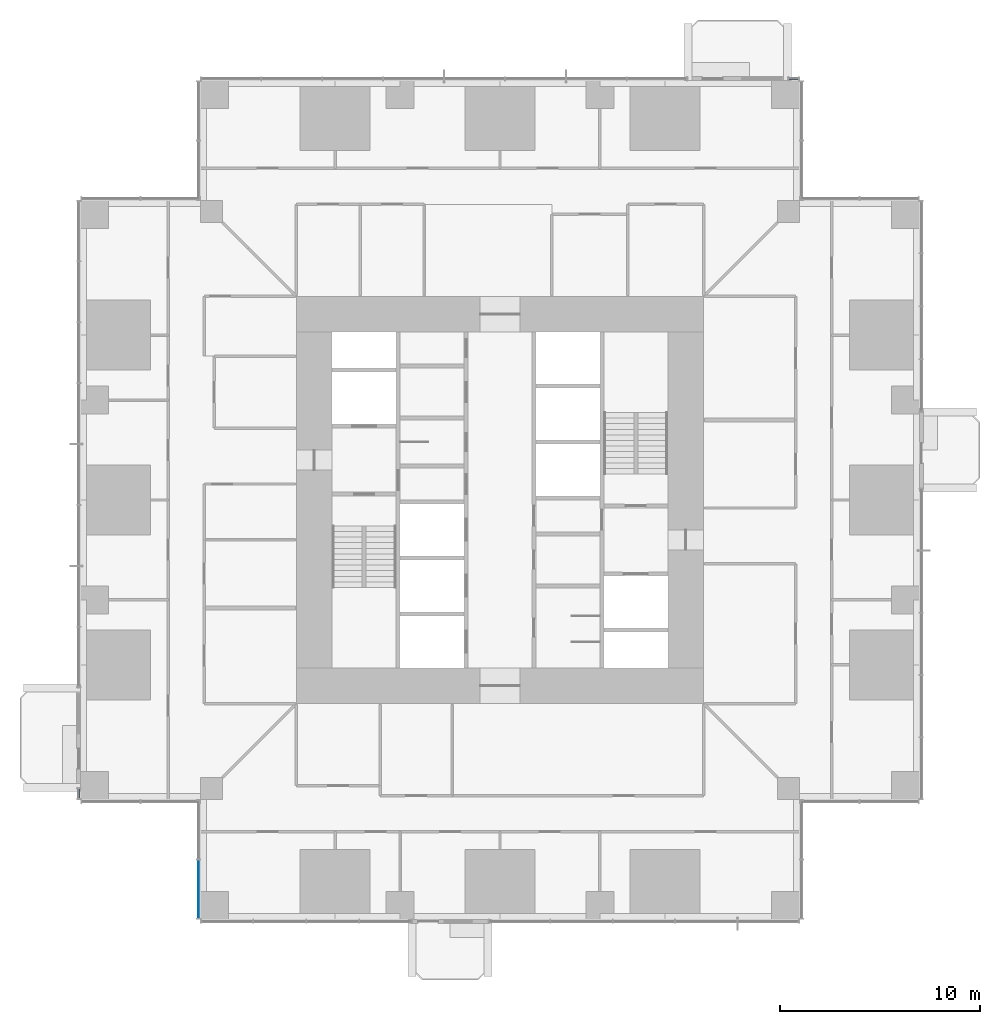
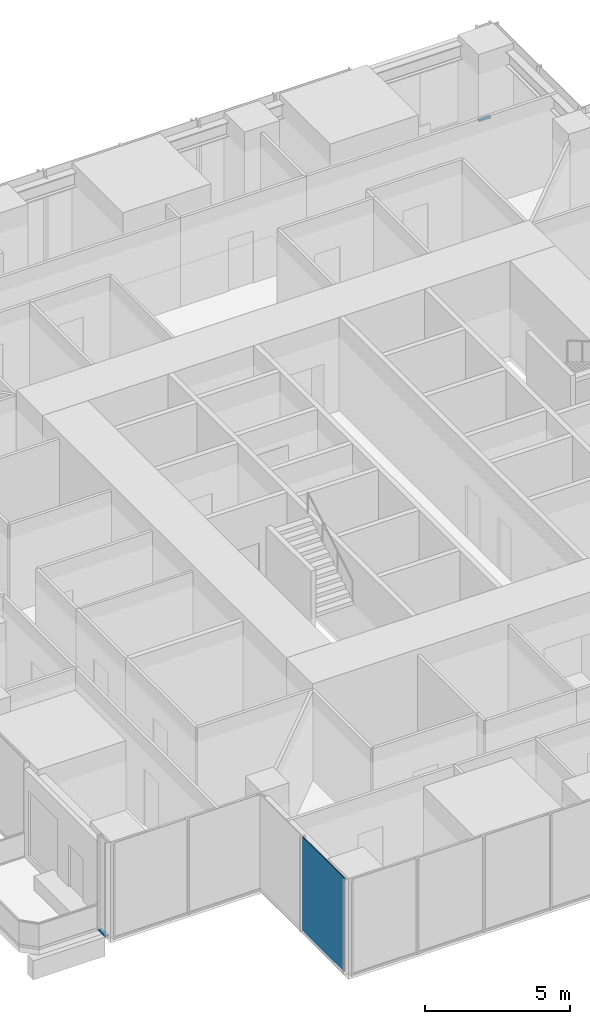
# One storey, part 7 of 18: 2 members, 1 plate, 3 elements without a shape of their own.
"""IFC4 building model written with IfcOpenShell, lengths in metres."""

from ifc_helpers import new_model, si_unit, direction, frame, origin, origin_2d, place, context, subcontext, project, spatial, rectangle, extrude, material, layer, layer_set, material_profile, profile_set, type_object, element, aggregate, save


model = new_model("IFC4")

# Units and contexts
model_context = context("Model", 3, precision=1e-05, world=origin(), true_north=direction((0.0, 1.0)))
body_context = subcontext(model_context, "Body", "Model", "MODEL_VIEW")
ifc_project = project(units=[si_unit("LENGTHUNIT", "METRE"), si_unit("AREAUNIT", "SQUARE_METRE"), si_unit("VOLUMEUNIT", "CUBIC_METRE"), si_unit("PLANEANGLEUNIT", "RADIAN"), si_unit("MASSUNIT", "GRAM", prefix="KILO")], contexts=[model_context])

# Site, building, storey
site_placement = place(None, origin())
site = spatial("IfcSite", under=ifc_project, at=site_placement, CompositionType="ELEMENT")
building_placement = place(site_placement, origin())
building = spatial("IfcBuilding", under=site, at=building_placement, Name="Svetlomir Tower", CompositionType="ELEMENT")
storey_placement = place(building_placement, frame((0.0, 0.0, 78.5)))
storey = spatial("IfcBuildingStorey", under=building, at=storey_placement, Name="L18", CompositionType="ELEMENT", Elevation=78.5)

# Curtain wall, member
ifc_material_1 = material(Name="Bronze anodised aluminium curtain wall", Category="aluminium")
curtain_wall_type = type_object("IfcCurtainWallType", Name="CURTAIN WALL CW1 TOWER OFFICE", PredefinedType="NOTDEFINED", material=ifc_material_1)
curtain_wall_1_placement = place(storey_placement, origin())
curtain_wall_1 = element("IfcCurtainWall", 1, at=curtain_wall_1_placement, inside=storey, type_object=curtain_wall_type, Name="Curtain wall CW1 L18", PredefinedType="NOTDEFINED")
ifc_material_2 = material(Name="Bronze anodised aluminium", Category="aluminium")
ifc_material_profile = material_profile(ifc_material_2, rectangle(XDim=0.139892578125, YDim=0.06494140625, at=origin_2d()), Name="AL 140x65")
ifc_profile_set = profile_set([ifc_material_profile], Name="Bronze anodised aluminium 6063-T6")
member_type = type_object("IfcMemberType", Name="CW1 TRANSOM 65x140", PredefinedType="USERDEFINED", material=ifc_profile_set)
member_1_placement = place(storey_placement, frame((35.93505859375, 42.10009765625, 0.032470703125), z_axis=(-1.0, 0.0, 0.0), x_axis=(0.0, -1.0, 0.0)))
member_1 = element("IfcMember", 2, at=member_1_placement, type_object=member_type, Name="CW1 transom 1.1", ObjectType="TRANSOM", PredefinedType="USERDEFINED", context=body_context, shape_type="SweptSolid", body=[
    extrude(rectangle(XDim=0.139892578125, YDim=0.06494140625, at=origin_2d()), origin(), (0.0, 0.0, 1.0), 0.469970703125),
])
aggregate(curtain_wall_1, [member_1])

curtain_wall_2_placement = place(storey_placement, origin())
curtain_wall_2 = element("IfcCurtainWall", 3, at=curtain_wall_2_placement, inside=storey, type_object=curtain_wall_type, Name="Curtain wall CW1 L18", PredefinedType="NOTDEFINED")
member_2_placement = place(storey_placement, frame((-0.10009765625, 6.534912109375, 0.032470703125), z_axis=(0.0, -1.0, 0.0), x_axis=(1.0, 0.0, 0.0)))
member_2 = element("IfcMember", 4, at=member_2_placement, type_object=member_type, Name="CW1 transom 1.1", ObjectType="TRANSOM", PredefinedType="USERDEFINED", context=body_context, shape_type="SweptSolid", body=[
    extrude(rectangle(XDim=0.139892578125, YDim=0.06494140625, at=origin_2d()), origin(), (0.0, 0.0, 1.0), 0.469970703125),
])
aggregate(curtain_wall_2, [member_2])

# Curtain wall, plate
curtain_wall_3_placement = place(storey_placement, origin())
curtain_wall_3 = element("IfcCurtainWall", 5, at=curtain_wall_3_placement, inside=storey, type_object=curtain_wall_type, Name="Curtain wall CW1 L18", PredefinedType="NOTDEFINED")
ifc_material_3 = material(Name="Tinted double glazed unit", Category="glass")
ifc_layer = layer(ifc_material_3, 0.031982421875)
ifc_layer_set = layer_set([ifc_layer], Name="Tinted double glazed unit")
plate_type = type_object("IfcPlateType", Name="CW1 GLAZED PANEL 32", PredefinedType="CURTAIN_PANEL", material=ifc_layer_set)
plate_placement = place(storey_placement, frame((5.89990234375, 1.516357421875, 0.06494140625), z_axis=(0.0, 0.0, 1.0), x_axis=(0.0, -1.0, 0.0)))
plate = element("IfcPlate", 6, at=plate_placement, type_object=plate_type, Name="CW1 panel 2.1", PredefinedType="CURTAIN_PANEL", context=body_context, shape_type="SweptSolid", body=[
    extrude(rectangle(XDim=2.902587890625, YDim=0.031982421875, at=origin_2d()), origin(), (0.0, 0.0, 1.0), 3.93505859375),
])
aggregate(curtain_wall_3, [plate])

save(model, "model.ifc")
